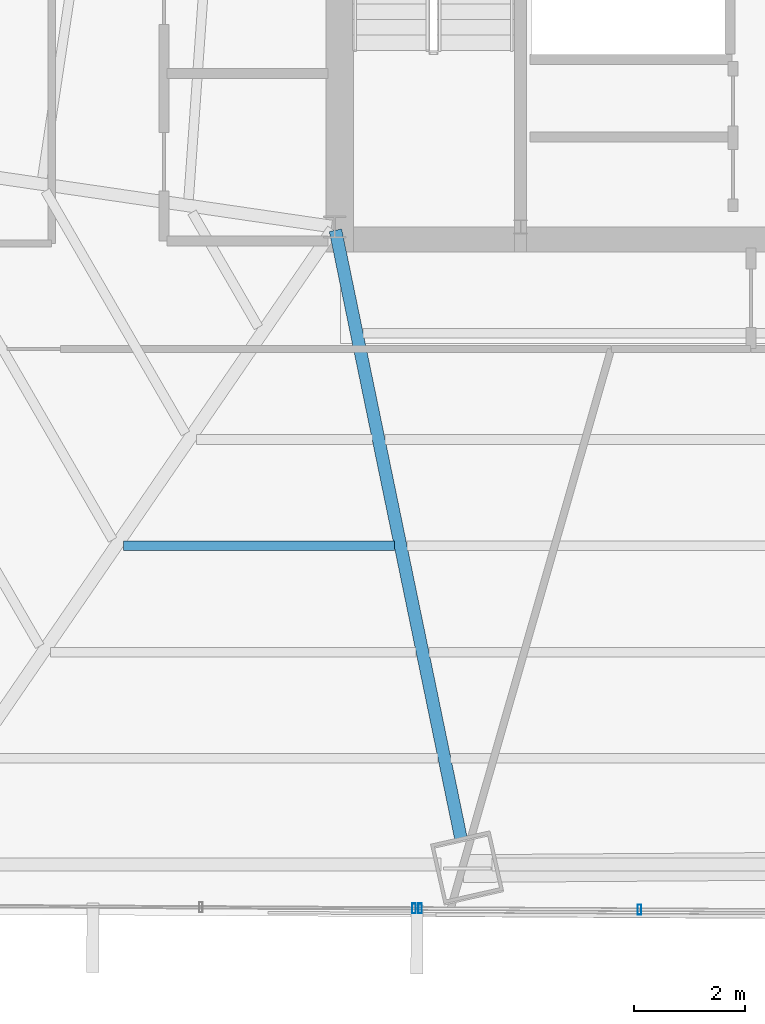
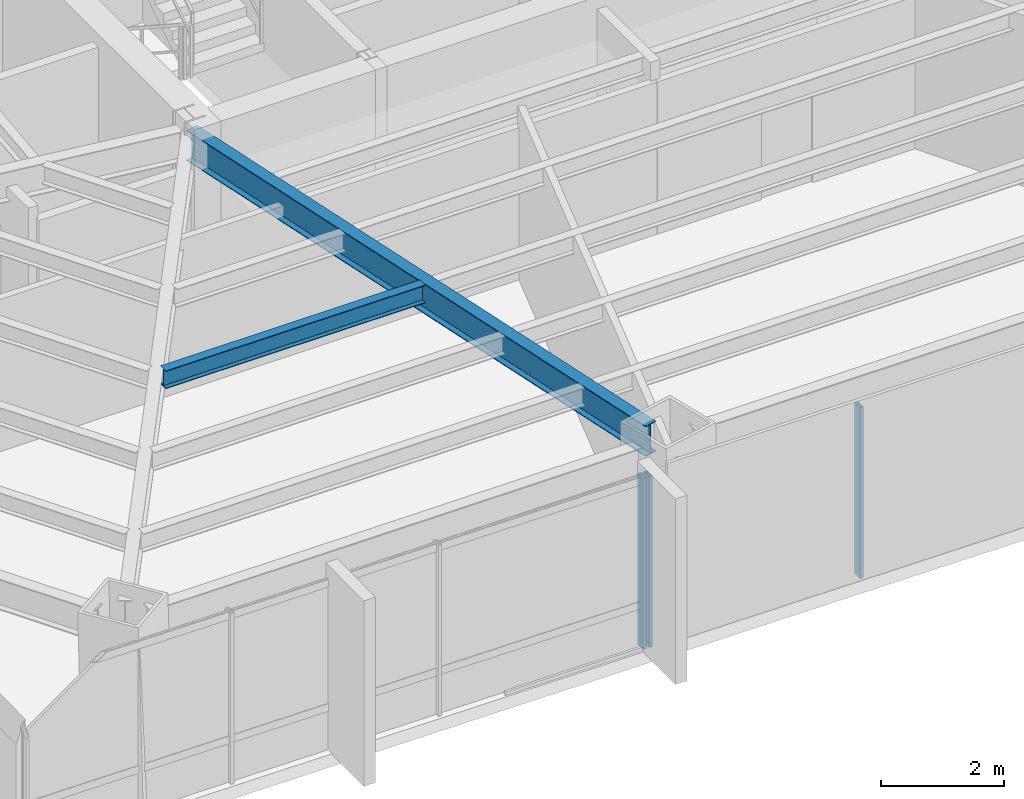
# One storey, part 8 of 36: 3 members, 2 beams, 2 elements without a shape of their own.
"""IFC4 building model written with IfcOpenShell, lengths in metres."""

import ifcopenshell
import ifcopenshell.guid

model = None  # the IFC model being written
_history = None  # IfcOwnerHistory: only IFC2X3 demands one
_inside = {}  # id of a spatial element -> (the spatial element, [elements in it])
_under = {}  # id of a project, library or spatial element -> (it, [spatial elements below it])
_declared = {}  # id of a project -> (the project, [libraries it declares])
_typed = {}  # id of a type object -> (the type object, [elements of that type])
_made_of = {}  # id of a material, layer set ... -> (it, [elements and type objects made of it])


def new_model(schema):
    """Start an empty IFC model of exactly this schema.

    Asked for "IFC4X3", IfcOpenShell would pick the latest addendum, in which some entities
    have other attributes; the version numbers below select the first issue.
    IFC2X3 requires an IfcOwnerHistory on every rooted entity: one is made here for all.
    """
    global model, _history
    if schema == "IFC4X3":
        model = ifcopenshell.file(schema_version=(4, 3, 0, 0))
    else:
        model = ifcopenshell.file(schema=schema)
    _inside.clear()
    _under.clear()
    _declared.clear()
    _typed.clear()
    _made_of.clear()
    _history = None
    if model.schema == "IFC2X3":
        org = make("IfcOrganization", Name="unknown")
        user = make(
            "IfcPersonAndOrganization",
            ThePerson=make("IfcPerson", FamilyName="unknown"),
            TheOrganization=org,
        )
        app = make(
            "IfcApplication",
            ApplicationDeveloper=org,
            Version="unknown",
            ApplicationFullName="unknown",
            ApplicationIdentifier="unknown",
        )
        _history = make(
            "IfcOwnerHistory",
            OwningUser=user,
            OwningApplication=app,
            ChangeAction="ADDED",
            CreationDate=0,
        )
    return model


def make(cls, **values):
    """One entity of the class cls with the attributes given. An attribute that is None is left unset."""
    return model.create_entity(
        cls, **{name: value for name, value in values.items() if value is not None}
    )


def rooted(cls, **values):
    """An entity with a GlobalId (a new one), such as an element, a storey or a relation."""
    return make(cls, GlobalId=ifcopenshell.guid.new(), OwnerHistory=_history, **values)


def si_unit(unit_type, name, prefix=None):
    """IfcSIUnit, for example si_unit("LENGTHUNIT", "METRE", prefix="MILLI")."""
    return make("IfcSIUnit", UnitType=unit_type, Prefix=prefix, Name=name)


def assignment(units):
    """IfcUnitAssignment: the units of a project."""
    return None if units is None else make("IfcUnitAssignment", Units=units)


def point(xyz):
    """IfcCartesianPoint."""
    return None if xyz is None else make("IfcCartesianPoint", Coordinates=xyz)


def direction(xyz):
    """IfcDirection."""
    return None if xyz is None else make("IfcDirection", DirectionRatios=xyz)


def frame(location, z_axis=None, x_axis=None):
    """IfcAxis2Placement3D, a coordinate frame: its origin and axes. An axis left out is left unset."""
    return make(
        "IfcAxis2Placement3D",
        Location=point(location),
        Axis=direction(z_axis),
        RefDirection=direction(x_axis),
    )


def frame_2d(location, x_axis=None):
    """IfcAxis2Placement2D, a coordinate frame in the plane: its origin and x axis."""
    return make(
        "IfcAxis2Placement2D", Location=point(location), RefDirection=direction(x_axis)
    )


def origin():
    """The frame at (0, 0, 0) with its axes left unset."""
    return frame((0.0, 0.0, 0.0))


def origin_2d():
    """The frame at (0, 0) in the plane with its x axis left unset."""
    return frame_2d((0.0, 0.0))


def place(relative_to, where):
    """IfcLocalPlacement: puts the frame where relative to a parent placement (None: the world)."""
    return make(
        "IfcLocalPlacement", PlacementRelTo=relative_to, RelativePlacement=where
    )


def context(
    kind, dimensions, precision=None, world=None, true_north=None, identifier=None
):
    """IfcGeometricRepresentationContext, for example the 3D "Model" context."""
    return make(
        "IfcGeometricRepresentationContext",
        ContextIdentifier=identifier,
        ContextType=kind,
        CoordinateSpaceDimension=dimensions,
        Precision=precision,
        WorldCoordinateSystem=world,
        TrueNorth=true_north,
    )


def subcontext(parent, identifier, kind, view, scale=None):
    """IfcGeometricRepresentationSubContext, for example "Body" below "Model"."""
    return make(
        "IfcGeometricRepresentationSubContext",
        ContextIdentifier=identifier,
        ContextType=kind,
        ParentContext=parent,
        TargetScale=scale,
        TargetView=view,
    )


def project(units=None, contexts=None):
    """IfcProject with its units and contexts."""
    return rooted(
        "IfcProject",
        Name="project",
        RepresentationContexts=contexts,
        UnitsInContext=assignment(units),
    )


def spatial(cls, under=None, at=None, **own):
    """A site, building, storey or space (cls), placed at a placement, below another one or the project."""
    s = rooted(cls, ObjectPlacement=at, **own)
    if under is not None:
        _under.setdefault(under.id(), (under, []))[1].append(s)
    return s


def profile(cls, at=None, kind="AREA", **sizes):
    """A parametric profile (cls). Its sizes go by their IFC names, for example OverallWidth=200.0."""
    return make(cls, ProfileType=kind, Position=at, **sizes)


def hollow_rectangle(**sizes):
    """IfcRectangleHollowProfileDef."""
    return profile("IfcRectangleHollowProfileDef", **sizes)


def i_section(**sizes):
    """IfcIShapeProfileDef."""
    return profile("IfcIShapeProfileDef", **sizes)


def extrude(swept, where, along, depth):
    """IfcExtrudedAreaSolid: the profile swept, set in the frame where, extruded along a direction by depth."""
    return make(
        "IfcExtrudedAreaSolid",
        SweptArea=swept,
        Position=where,
        ExtrudedDirection=direction(along),
        Depth=depth,
    )


def shape(context_of_items, identifier, shape_type, items):
    """IfcShapeRepresentation: the items that make up one representation, for example the "Body"."""
    return make(
        "IfcShapeRepresentation",
        ContextOfItems=context_of_items,
        RepresentationIdentifier=identifier,
        RepresentationType=shape_type,
        Items=items,
    )


def source(mapping_origin, context_of_items, identifier, shape_type, items):
    """IfcRepresentationMap: a shape defined once, which mapped items show again and again."""
    return make(
        "IfcRepresentationMap",
        MappingOrigin=mapping_origin,
        MappedRepresentation=shape(context_of_items, identifier, shape_type, items),
    )


def transform(
    local_origin,
    x_axis=None,
    y_axis=None,
    z_axis=None,
    scale=None,
    scale2=None,
    scale3=None,
    uniform=True,
):
    """IfcCartesianTransformationOperator3D, or its non-uniform kind. x_axis, y_axis, z_axis: its Axis1, 2, 3."""
    if uniform:
        return make(
            "IfcCartesianTransformationOperator3D",
            Axis1=direction(x_axis),
            Axis2=direction(y_axis),
            LocalOrigin=point(local_origin),
            Scale=scale,
            Axis3=direction(z_axis),
        )
    return make(
        "IfcCartesianTransformationOperator3DnonUniform",
        Axis1=direction(x_axis),
        Axis2=direction(y_axis),
        LocalOrigin=point(local_origin),
        Scale=scale,
        Axis3=direction(z_axis),
        Scale2=scale2,
        Scale3=scale3,
    )


def mapped(mapping_source, mapping_target):
    """IfcMappedItem: shows the shape of a source again, moved by a transform."""
    return make(
        "IfcMappedItem", MappingSource=mapping_source, MappingTarget=mapping_target
    )


def material(Name=None, Category=None):
    """IfcMaterial."""
    return make("IfcMaterial", Name=Name, Category=Category)


def material_profile(
    of_material, cross_section, Name=None, Category=None, Priority=None
):
    """IfcMaterialProfile: a cross section and its material."""
    return make(
        "IfcMaterialProfile",
        Name=Name,
        Material=of_material,
        Profile=cross_section,
        Priority=Priority,
        Category=Category,
    )


def profile_set(profiles, Name=None, composite=None):
    """IfcMaterialProfileSet."""
    return make(
        "IfcMaterialProfileSet",
        Name=Name,
        MaterialProfiles=profiles,
        CompositeProfile=composite,
    )


def made_of(thing, what):
    """Note that an element or type object is made of a material, layer set ...; save() writes the relation."""
    if what is not None:
        _made_of.setdefault(what.id(), (what, []))[1].append(thing)
    return thing


def type_object(cls, material=None, **own):
    """A type object (cls), such as IfcWallType, which elements share."""
    return made_of(rooted(cls, **own), material)


def type_shapes(of_type, sources):
    """Give a type object the sources (RepresentationMaps) that its elements show as mapped items."""
    of_type.RepresentationMaps = sources


def element(
    cls,
    number,
    at=None,
    inside=None,
    cuts=None,
    type_object=None,
    material=None,
    context=None,
    identifier="Body",
    shape_type=None,
    held_by="IfcProductDefinitionShape",
    body=None,
    shapes=None,
    **own,
):
    """One element of the class cls, such as IfcWall. Its Tag is "e" and its number.

    at: its placement. inside: the storey or other place that contains it. cuts: it is an
    opening in that element (IfcRelVoidsElement). A single representation is given by context,
    identifier, shape_type and body (its items); several are given by shapes. held_by: the class
    of the entity that holds the representations. save() writes the other relations.
    """
    e = rooted(cls, Tag="e%d" % number, ObjectPlacement=at, **own)
    if body is not None:
        shapes = [shape(context, identifier, shape_type, body)]
    if shapes is not None:
        e.Representation = make(held_by, Representations=shapes)
    if inside is not None:
        _inside.setdefault(inside.id(), (inside, []))[1].append(e)
    if cuts is not None:
        rooted(
            "IfcRelVoidsElement", RelatingBuildingElement=cuts, RelatedOpeningElement=e
        )
    if type_object is not None:
        _typed.setdefault(type_object.id(), (type_object, []))[1].append(e)
    return made_of(e, material)


def aggregate(whole, parts):
    """IfcRelAggregates: a whole, such as a stair, and the parts it consists of."""
    return rooted("IfcRelAggregates", RelatingObject=whole, RelatedObjects=parts)


def save(model, path):
    """Write the relations noted so far, then the file.

    IfcRelAggregates (storeys below a building ...), IfcRelContainedInSpatialStructure (elements
    in a storey), IfcRelDefinesByType, IfcRelAssociatesMaterial and IfcRelDeclares: one each for
    every whole, place, type object, material and project.
    """
    for whole, parts in _under.values():
        aggregate(whole, parts)
    for where, things in _inside.values():
        rooted(
            "IfcRelContainedInSpatialStructure",
            RelatedElements=things,
            RelatingStructure=where,
        )
    for kind, things in _typed.values():
        rooted("IfcRelDefinesByType", RelatedObjects=things, RelatingType=kind)
    for what, things in _made_of.values():
        rooted("IfcRelAssociatesMaterial", RelatedObjects=things, RelatingMaterial=what)
    for by, libraries in _declared.values():
        rooted("IfcRelDeclares", RelatingContext=by, RelatedDefinitions=libraries)
    model.write(path)


model = new_model("IFC4")

# Units and contexts
model_context = context("Model", 3, precision=1e-05, world=origin(), true_north=direction((0.0, 1.0)))
body_context = subcontext(model_context, "Body", "Model", "MODEL_VIEW")
ifc_project = project(units=[si_unit("LENGTHUNIT", "METRE"), si_unit("AREAUNIT", "SQUARE_METRE"), si_unit("VOLUMEUNIT", "CUBIC_METRE"), si_unit("PLANEANGLEUNIT", "RADIAN"), si_unit("MASSUNIT", "GRAM", prefix="KILO")], contexts=[model_context])

# Site, building, storey
site_placement = place(None, origin())
site = spatial("IfcSite", under=ifc_project, at=site_placement, CompositionType="ELEMENT")
building_placement = place(site_placement, origin())
building = spatial("IfcBuilding", under=site, at=building_placement, Name="Caelisora Broadcast Tower", CompositionType="ELEMENT")
storey_placement = place(building_placement, frame((0.0, 0.0, 79.85009765625)))
storey = spatial("IfcBuildingStorey", under=building, at=storey_placement, Name="L20", CompositionType="ELEMENT", Elevation=79.85009765625)

# Beams
ifc_material_1 = material(Name="Steel Grade 350 (AS/NZS 3679.1)", Category="steel")
ifc_material_profile_1 = material_profile(ifc_material_1, i_section(OverallWidth=0.22802734375, OverallDepth=0.602294921875, WebThickness=0.010498046875, FlangeThickness=0.014892578125, at=origin_2d()), Name="Steel Grade 350 (AS/NZS 3679.1)")
ifc_profile_set_1 = profile_set([ifc_material_profile_1], Name="Steel Grade 350 (AS/NZS 3679.1)")
beam_type_1 = type_object("IfcBeamType", Name="PG04", PredefinedType="BEAM", material=ifc_profile_set_1)
shared_shape_1 = source(origin(), body_context, "Body", "SweptSolid", [
    extrude(i_section(OverallWidth=0.22802734375, OverallDepth=0.602294921875, WebThickness=0.010498046875, FlangeThickness=0.014892578125, at=origin_2d()), origin(), (0.0, 0.0, 1.0), 11.2548828125),
])
type_shapes(beam_type_1, [shared_shape_1])
beam_1_placement = place(storey_placement, frame((30.51220703125, 17.34130859375, 3.098876953125), z_axis=(0.202081951352, -0.979368615455, 0.0), x_axis=(0.979368615455, 0.202081951352, 0.0)))
element("IfcBeam", 1, at=beam_1_placement, inside=storey, type_object=beam_type_1, Name="L20 beam PG04", PredefinedType="BEAM", context=body_context, shape_type="MappedRepresentation", body=[
    mapped(shared_shape_1, transform((0.0, 0.0, 0.0), scale=1.0)),
])
ifc_material_profile_2 = material_profile(ifc_material_1, i_section(OverallWidth=0.172119140625, OverallDepth=0.358642578125, WebThickness=0.008056640625, FlangeThickness=0.012939453125, at=origin_2d()), Name="Steel Grade 350 (AS/NZS 3679.1)")
ifc_profile_set_2 = profile_set([ifc_material_profile_2], Name="Steel Grade 350 (AS/NZS 3679.1)")
beam_type_2 = type_object("IfcBeamType", Name="SB02", PredefinedType="JOIST", material=ifc_profile_set_2)
shared_shape_2 = source(origin(), body_context, "Body", "SweptSolid", [
    extrude(i_section(OverallWidth=0.172119140625, OverallDepth=0.358642578125, WebThickness=0.008056640625, FlangeThickness=0.012939453125, at=origin_2d()), origin(), (0.0, 0.0, 1.0), 4.8798828125),
])
type_shapes(beam_type_2, [shared_shape_2])
beam_2_placement = place(storey_placement, frame((26.692626953125, 11.653564453125, 3.220703125), z_axis=(1.0, 0.0, 0.0), x_axis=(0.0, 1.0, 0.0)))
element("IfcBeam", 2, at=beam_2_placement, inside=storey, type_object=beam_type_2, Name="L20 beam SB02", PredefinedType="JOIST", context=body_context, shape_type="MappedRepresentation", body=[
    mapped(shared_shape_2, transform((0.0, 0.0, 0.0), scale=1.0)),
])

# Curtain wall, members
ifc_material_2 = material(Name="Unitised Aluminium Insulated Shadow-Box Spandrel Curtain Wall", Category="aluminium")
curtain_wall_type_1 = type_object("IfcCurtainWallType", Name="CW-SP1", PredefinedType="NOTDEFINED", material=ifc_material_2)
curtain_wall_1_placement = place(storey_placement, origin())
curtain_wall_1 = element("IfcCurtainWall", 3, at=curtain_wall_1_placement, inside=storey, type_object=curtain_wall_type_1, Name="L20 curtain wall CW-SP1", PredefinedType="NOTDEFINED")
ifc_material_3 = material(Name="Aluminium 6063-T6 Anodised Terracotta Bronze", Category="aluminium")
ifc_material_profile_3 = material_profile(ifc_material_3, hollow_rectangle(XDim=0.06494140625, YDim=0.179931640625, WallThickness=0.00341796875, at=origin_2d()), Name="Aluminium 6063-T6 Anodised Terracotta Bronze")
ifc_profile_set_3 = profile_set([ifc_material_profile_3], Name="Aluminium 6063-T6 Anodised Terracotta Bronze")
member_type = type_object("IfcMemberType", Name="CWM-02", PredefinedType="MULLION", material=ifc_profile_set_3)
shared_shape_3 = source(origin(), body_context, "Body", "SweptSolid", [
    extrude(hollow_rectangle(XDim=0.06494140625, YDim=0.179931640625, WallThickness=0.00341796875, at=origin_2d()), origin(), (0.0, 0.0, 1.0), 3.39990234375),
])
type_shapes(member_type, [shared_shape_3])
member_1_placement = place(storey_placement, frame((35.99365234375, 5.09423828125, 0.0), z_axis=(0.0, 0.0, 1.0), x_axis=(1.0, 0.0, 0.0)))
member_1 = element("IfcMember", 4, at=member_1_placement, type_object=member_type, Name="L20-CW-B06 mullion #2", PredefinedType="MULLION", context=body_context, shape_type="MappedRepresentation", body=[
    mapped(shared_shape_3, transform((0.0, 0.0, 0.0), scale=1.0)),
])
member_2_placement = place(storey_placement, frame((32.0390625, 5.11572265625, 0.0), z_axis=(0.0, 0.0, 1.0), x_axis=(1.0, 0.0, 0.0)))
member_2 = element("IfcMember", 5, at=member_2_placement, type_object=member_type, Name="L20-CW-B06 mullion #3", PredefinedType="MULLION", context=body_context, shape_type="MappedRepresentation", body=[
    mapped(shared_shape_3, transform((0.0, 0.0, 0.0), scale=1.0)),
])
aggregate(curtain_wall_1, [member_1, member_2])

# Curtain wall, member
ifc_material_4 = material(Name="Unitised Aluminium and Low-E Glass Curtain Wall", Category="glass")
curtain_wall_type_2 = type_object("IfcCurtainWallType", Name="CW-Z2", PredefinedType="NOTDEFINED", material=ifc_material_4)
curtain_wall_2_placement = place(storey_placement, origin())
curtain_wall_2 = element("IfcCurtainWall", 6, at=curtain_wall_2_placement, inside=storey, type_object=curtain_wall_type_2, Name="L20 curtain wall CW-Z2", PredefinedType="NOTDEFINED")
member_3_placement = place(storey_placement, frame((31.92919921875, 5.116455078125, 0.0), z_axis=(0.0, 0.0, 1.0), x_axis=(1.0, 0.0, 0.0)))
member_3 = element("IfcMember", 7, at=member_3_placement, type_object=member_type, Name="L20-CW-B07 mullion #0", PredefinedType="MULLION", context=body_context, shape_type="MappedRepresentation", body=[
    mapped(shared_shape_3, transform((0.0, 0.0, 0.0), scale=1.0)),
])
aggregate(curtain_wall_2, [member_3])

save(model, "model.ifc")
